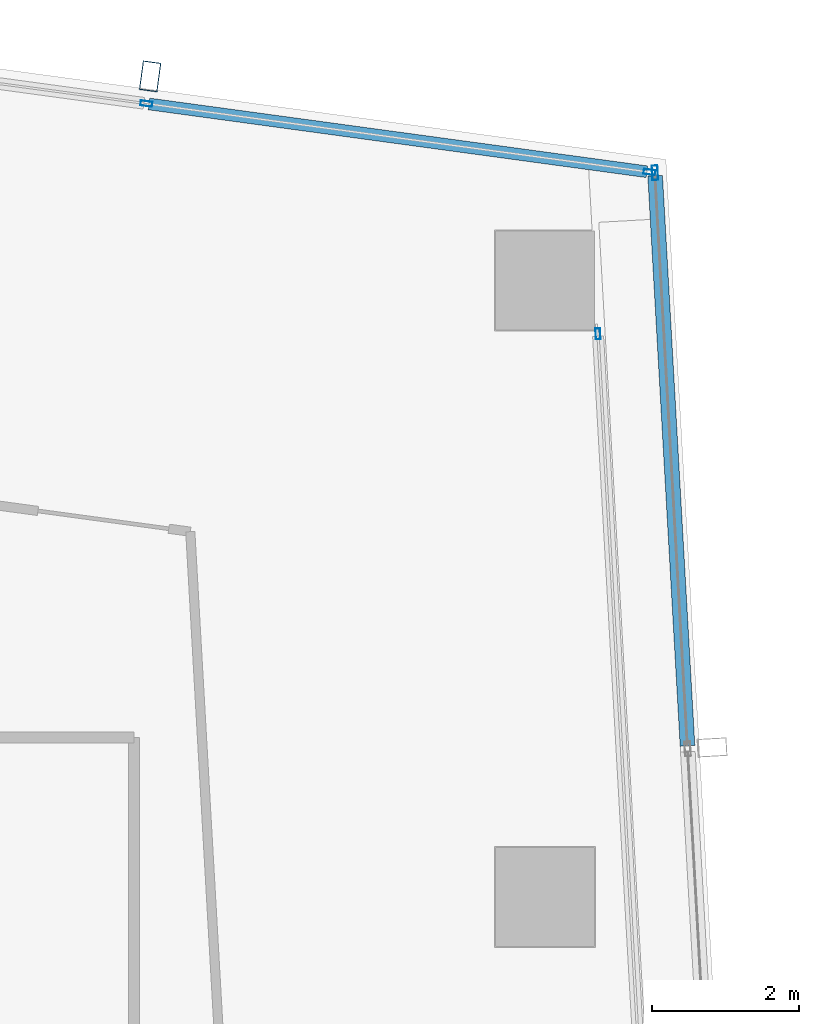
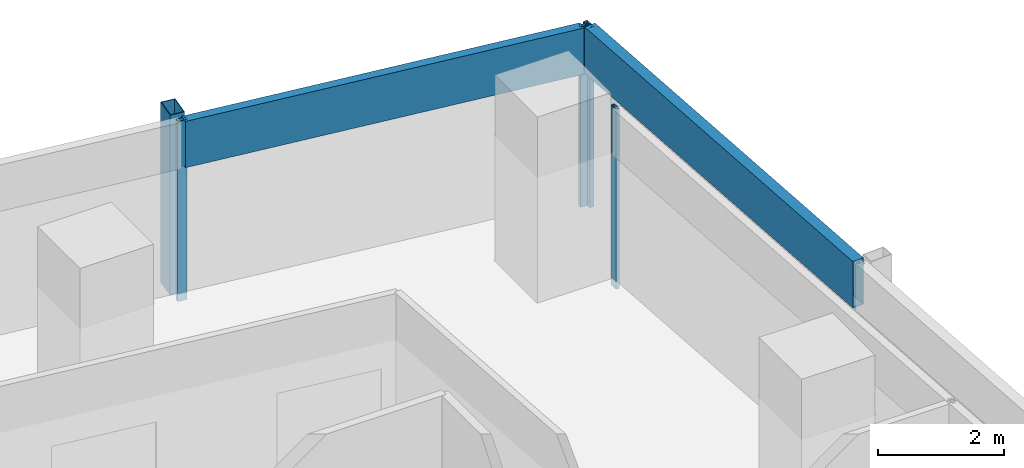
# One storey, part 24 of 40: 7 members, 3 elements without a shape of their own.
"""IFC4 building model written with IfcOpenShell, lengths in metres."""

from ifc_helpers import new_model, si_unit, direction, frame, origin, origin_2d, place, context, subcontext, project, spatial, hollow_rectangle, extrude, material, material_profile, profile_set, type_object, element, aggregate, save


model = new_model("IFC4")

# Units and contexts
model_context = context("Model", 3, precision=1e-05, world=origin(), true_north=direction((0.0, 1.0)))
body_context = subcontext(model_context, "Body", "Model", "MODEL_VIEW")
ifc_project = project(units=[si_unit("LENGTHUNIT", "METRE"), si_unit("AREAUNIT", "SQUARE_METRE"), si_unit("VOLUMEUNIT", "CUBIC_METRE"), si_unit("PLANEANGLEUNIT", "RADIAN"), si_unit("MASSUNIT", "GRAM", prefix="KILO")], contexts=[model_context])

# Site, building, storey
site_placement = place(None, origin())
site = spatial("IfcSite", under=ifc_project, at=site_placement, CompositionType="ELEMENT")
building_placement = place(site_placement, origin())
building = spatial("IfcBuilding", under=site, at=building_placement, Name="Rekha Terrace Tower", CompositionType="ELEMENT")
storey_placement = place(building_placement, frame((0.0, 0.0, 210.199951171875)))
storey = spatial("IfcBuildingStorey", under=building, at=storey_placement, Name="L53", CompositionType="ELEMENT", Elevation=210.199951171875)

# Curtain wall, member
ifc_material_1 = material(Name="Aluminium framing", Category="aluminium")
curtain_wall_type_1 = type_object("IfcCurtainWallType", Name="CW3 north unitised glazing", PredefinedType="USERDEFINED", material=ifc_material_1)
curtain_wall_1_placement = place(storey_placement, origin())
curtain_wall_1 = element("IfcCurtainWall", 1, at=curtain_wall_1_placement, inside=storey, type_object=curtain_wall_type_1, Name="CW3 unitised curtain wall", ObjectType="UNITISED CURTAIN WALL", PredefinedType="USERDEFINED")
ifc_material_2 = material(Name="Steel S355 with fluorocarbon finish", Category="steel")
ifc_material_profile_1 = material_profile(ifc_material_2, hollow_rectangle(XDim=0.25, YDim=0.39990234375, WallThickness=0.012451171875, at=origin_2d()), Name="RHS400x250x12.5")
ifc_profile_set_1 = profile_set([ifc_material_profile_1], Name="Steel S355 with fluorocarbon finish")
member_type_1 = type_object("IfcMemberType", Name="BL1 facade blade RHS 400 x 250", PredefinedType="USERDEFINED", material=ifc_profile_set_1)
member_1_placement = place(storey_placement, frame((53.419921875, 61.583251953125, 0.0), z_axis=(0.0, 0.0, 1.0), x_axis=(-0.990867309488, 0.134840553943, 0.0)))
member_1 = element("IfcMember", 2, at=member_1_placement, type_object=member_type_1, Name="Facade blade", ObjectType="FACADE BLADE", PredefinedType="USERDEFINED", context=body_context, shape_type="SweptSolid", body=[
    extrude(hollow_rectangle(XDim=0.25, YDim=0.39990234375, WallThickness=0.012451171875, at=origin_2d()), origin(), (0.0, 0.0, 1.0), 3.5),
])

curtain_wall_type_2 = type_object("IfcCurtainWallType", Name="CW1 double skin inner glazing", PredefinedType="USERDEFINED", material=ifc_material_1)
curtain_wall_2_placement = place(storey_placement, origin())
curtain_wall_2 = element("IfcCurtainWall", 3, at=curtain_wall_2_placement, inside=storey, type_object=curtain_wall_type_2, Name="CW1 double skin inner glazing", ObjectType="DOUBLE SKIN INNER GLAZING", PredefinedType="USERDEFINED")
ifc_material_3 = material(Name="Aluminium mullion section", Category="aluminium")
ifc_material_profile_2 = material_profile(ifc_material_3, hollow_rectangle(XDim=0.06494140625, YDim=0.14990234375, WallThickness=0.00390625, at=origin_2d()), Name="AL RHS 65x150")
ifc_profile_set_2 = profile_set([ifc_material_profile_2], Name="Aluminium mullion section")
member_type_2 = type_object("IfcMemberType", Name="CW1 mullion RHS 65 x 150", PredefinedType="MULLION", material=ifc_profile_set_2)
member_2_placement = place(storey_placement, frame((59.523193359375, 58.0751953125, 0.0), z_axis=(0.0, 0.0, 1.0), x_axis=(-0.998392782919, -0.05667319486, 0.0)))
member_2 = element("IfcMember", 4, at=member_2_placement, type_object=member_type_2, Name="CW1 mullion 4", PredefinedType="MULLION", context=body_context, shape_type="SweptSolid", body=[
    extrude(hollow_rectangle(XDim=0.06494140625, YDim=0.14990234375, WallThickness=0.00390625, at=origin_2d()), origin(), (0.0, 0.0, 1.0), 3.5),
])
aggregate(curtain_wall_2, [member_2])

# Curtain wall, members
curtain_wall_type_3 = type_object("IfcCurtainWallType", Name="CW2 double skin outer glazing", PredefinedType="USERDEFINED", material=ifc_material_1)
curtain_wall_3_placement = place(storey_placement, origin())
curtain_wall_3 = element("IfcCurtainWall", 5, at=curtain_wall_3_placement, inside=storey, type_object=curtain_wall_type_3, Name="CW2 double skin outer glazing", ObjectType="DOUBLE SKIN OUTER GLAZING", PredefinedType="USERDEFINED")
ifc_material_profile_3 = material_profile(ifc_material_3, hollow_rectangle(XDim=0.080078125, YDim=0.199951171875, WallThickness=0.00390625, at=origin_2d()), Name="AL RHS 80x200")
ifc_profile_set_3 = profile_set([ifc_material_profile_3], Name="Aluminium mullion section")
member_type_3 = type_object("IfcMemberType", Name="CW2 mullion RHS 80 x 200", PredefinedType="MULLION", material=ifc_profile_set_3)
member_3_placement = place(storey_placement, frame((60.300048828125, 60.269287109375, 0.0), z_axis=(0.0, 0.0, 1.0), x_axis=(-0.998392782919, -0.05667319486, 0.0)))
member_3 = element("IfcMember", 6, at=member_3_placement, type_object=member_type_3, Name="CW2 mullion 5", PredefinedType="MULLION", context=body_context, shape_type="SweptSolid", body=[
    extrude(hollow_rectangle(XDim=0.080078125, YDim=0.199951171875, WallThickness=0.00390625, at=origin_2d()), origin(), (0.0, 0.0, 1.0), 3.5),
])
ifc_material_4 = material(Name="Insulated aluminium spandrel box", Category="aluminium")
ifc_material_profile_4 = material_profile(ifc_material_4, hollow_rectangle(XDim=0.199951171875, YDim=0.89990234375, WallThickness=0.0029296875, at=origin_2d()), Name="AL SPANDREL BOX 200x900")
ifc_profile_set_4 = profile_set([ifc_material_profile_4], Name="Insulated aluminium spandrel box")
member_type_4 = type_object("IfcMemberType", Name="CW2 spandrel transom 200 x 900", PredefinedType="USERDEFINED", material=ifc_profile_set_4)
member_4_placement = place(storey_placement, frame((60.743408203125, 52.45849609375, 3.050048828125), z_axis=(-0.05667908121, 0.998392448766, 0.0), x_axis=(-0.998392448766, -0.05667908121, 0.0)))
member_4 = element("IfcMember", 7, at=member_4_placement, type_object=member_type_4, Name="CW2 spandrel transom 4", ObjectType="TRANSOM", PredefinedType="USERDEFINED", context=body_context, shape_type="SweptSolid", body=[
    extrude(hollow_rectangle(XDim=0.199951171875, YDim=0.89990234375, WallThickness=0.0029296875, at=origin_2d()), origin(), (0.0, 0.0, 1.0), 7.783447265625),
])
aggregate(curtain_wall_3, [member_3, member_4])

# Member
ifc_material_profile_5 = material_profile(ifc_material_3, hollow_rectangle(XDim=0.070068359375, YDim=0.159912109375, WallThickness=0.00390625, at=origin_2d()), Name="AL RHS 70x160")
ifc_profile_set_5 = profile_set([ifc_material_profile_5], Name="Aluminium mullion section")
member_type_5 = type_object("IfcMemberType", Name="CW3 mullion RHS 70 x 160", PredefinedType="MULLION", material=ifc_profile_set_5)
member_5_placement = place(storey_placement, frame((60.22509765625, 60.27880859375, 0.0), z_axis=(0.0, 0.0, 1.0), x_axis=(-0.134840840416, -0.990867270504, 0.0)))
member_5 = element("IfcMember", 8, at=member_5_placement, type_object=member_type_5, Name="CW3 mullion 1", PredefinedType="MULLION", context=body_context, shape_type="SweptSolid", body=[
    extrude(hollow_rectangle(XDim=0.070068359375, YDim=0.159912109375, WallThickness=0.00390625, at=origin_2d()), origin(), (0.0, 0.0, 1.0), 3.5),
])

member_6_placement = place(storey_placement, frame((53.369384765625, 61.211669921875, 0.0), z_axis=(0.0, 0.0, 1.0), x_axis=(-0.134840840416, -0.990867270504, 0.0)))
member_6 = element("IfcMember", 9, at=member_6_placement, type_object=member_type_5, Name="CW3 mullion 2", PredefinedType="MULLION", context=body_context, shape_type="SweptSolid", body=[
    extrude(hollow_rectangle(XDim=0.070068359375, YDim=0.159912109375, WallThickness=0.00390625, at=origin_2d()), origin(), (0.0, 0.0, 1.0), 3.5),
])

ifc_material_profile_6 = material_profile(ifc_material_4, hollow_rectangle(XDim=0.159912109375, YDim=0.89990234375, WallThickness=0.0029296875, at=origin_2d()), Name="AL SPANDREL BOX 160x900")
ifc_profile_set_6 = profile_set([ifc_material_profile_6], Name="Insulated aluminium spandrel box")
member_type_6 = type_object("IfcMemberType", Name="CW3 spandrel transom 160 x 900", PredefinedType="USERDEFINED", material=ifc_profile_set_6)
member_7_placement = place(storey_placement, frame((60.190185546875, 60.283447265625, 3.050048828125), z_axis=(-0.990865276141, 0.134855495022, 0.0), x_axis=(-0.134855495022, -0.990865276141, 0.0)))
member_7 = element("IfcMember", 10, at=member_7_placement, type_object=member_type_6, Name="CW3 spandrel transom 1", ObjectType="TRANSOM", PredefinedType="USERDEFINED", context=body_context, shape_type="SweptSolid", body=[
    extrude(hollow_rectangle(XDim=0.159912109375, YDim=0.89990234375, WallThickness=0.0029296875, at=origin_2d()), origin(), (0.0, 0.0, 1.0), 6.8486328125),
])

aggregate(curtain_wall_1, [member_5, member_6, member_7, member_1])

save(model, "model.ifc")
